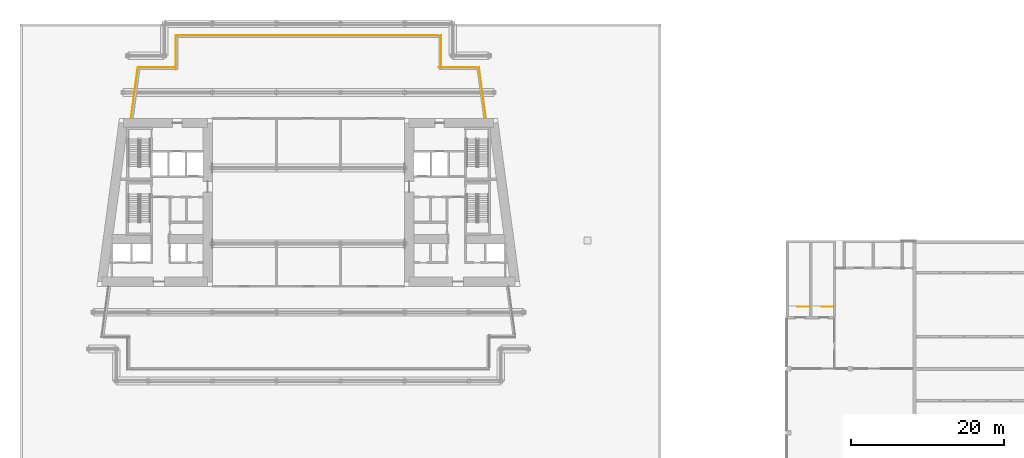
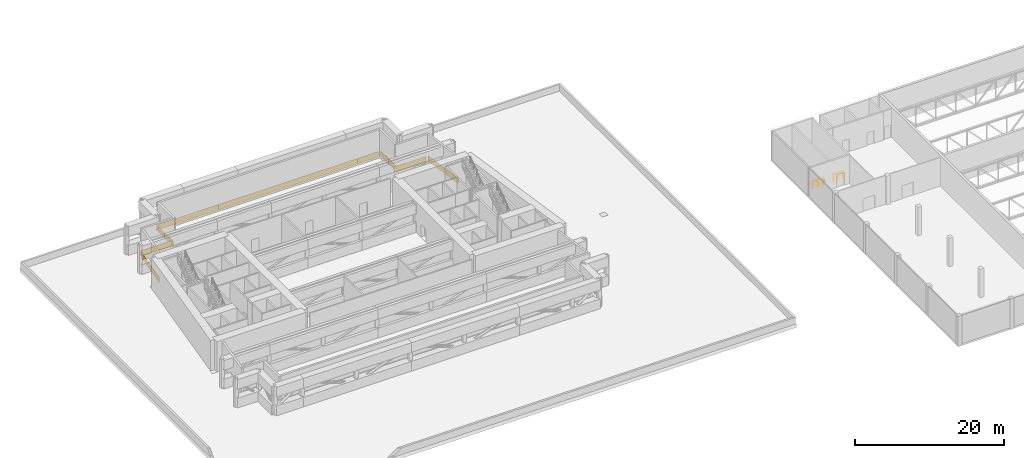
# One storey, part 25 of 26: 11 coverings, 2 railings.
"""IFC4 building model written with IfcOpenShell, lengths in metres."""

from ifc_helpers import new_model, si_unit, direction, frame, origin, origin_2d, place, context, subcontext, project, spatial, rectangle, circle, extrude, material, layer, layer_set, type_object, element, save


model = new_model("IFC4")

# Units and contexts
model_context = context("Model", 3, precision=1e-05, world=origin(), true_north=direction((0.0, 1.0)))
body_context = subcontext(model_context, "Body", "Model", "MODEL_VIEW")
ifc_project = project(units=[si_unit("LENGTHUNIT", "METRE"), si_unit("AREAUNIT", "SQUARE_METRE"), si_unit("VOLUMEUNIT", "CUBIC_METRE"), si_unit("PLANEANGLEUNIT", "RADIAN"), si_unit("MASSUNIT", "GRAM", prefix="KILO")], contexts=[model_context])

# Site, building, storey
site_placement = place(None, origin())
site = spatial("IfcSite", under=ifc_project, at=site_placement, CompositionType="ELEMENT")
building_placement = place(site_placement, origin())
building = spatial("IfcBuilding", under=site, at=building_placement, Name="Candeia Pilgrim Tower and Theatre", CompositionType="ELEMENT")
storey_placement = place(building_placement, frame((0.0, 0.0, 34.0)))
storey = spatial("IfcBuildingStorey", under=building, at=storey_placement, Name="L05", CompositionType="ELEMENT", Elevation=34.0)

# Coverings
ifc_material_1 = material(Name="Glazed ceramic tile deep red")
ifc_layer_1 = layer(ifc_material_1, 0.02001953125)
ifc_layer_set_1 = layer_set([ifc_layer_1], Name="Glazed ceramic tile deep red")
covering_type_1 = type_object("IfcCoveringType", Name="Glazed ceramic tile deep red", PredefinedType="CLADDING", material=ifc_layer_set_1)
covering_1_placement = place(storey_placement, frame((132.976318359375, 139.110107421875, 0.0), z_axis=(0.0, 0.0, 1.0), x_axis=(-1.0, 0.0, 0.0)))
element("IfcCovering", 1, at=covering_1_placement, inside=storey, type_object=covering_type_1, Name="Tile cladding deep red L05", PredefinedType="CLADDING", context=body_context, shape_type="SweptSolid", body=[
    extrude(rectangle(XDim=4.95263671875, YDim=0.02001953125, at=origin_2d()), origin(), (0.0, 0.0, 1.0), 0.89990234375),
])
covering_2_placement = place(storey_placement, frame((130.81005859375, 142.25, 0.0), z_axis=(0.0, 0.0, 1.0), x_axis=(0.0, 1.0, 0.0)))
element("IfcCovering", 2, at=covering_2_placement, inside=storey, type_object=covering_type_1, Name="Tile cladding deep red L05", PredefinedType="CLADDING", context=body_context, shape_type="SweptSolid", body=[
    extrude(rectangle(XDim=2.10009765625, YDim=0.02001953125, at=origin_2d()), origin(), (0.0, 0.0, 1.0), 0.89990234375),
])
covering_3_placement = place(storey_placement, frame((128.840087890625, 143.31005859375, 0.0), z_axis=(0.0, 0.0, 1.0), x_axis=(-1.0, 0.0, 0.0)))
element("IfcCovering", 3, at=covering_3_placement, inside=storey, type_object=covering_type_1, Name="Tile cladding deep red L05", PredefinedType="CLADDING", context=body_context, shape_type="SweptSolid", body=[
    extrude(rectangle(XDim=3.280029296875, YDim=0.02001953125, at=origin_2d()), origin(), (0.0, 0.0, 1.0), 0.89990234375),
])
covering_4_placement = place(storey_placement, frame((100.800048828125, 143.31005859375, 0.0), z_axis=(0.0, 0.0, 1.0), x_axis=(-1.0, 0.0, 0.0)))
element("IfcCovering", 4, at=covering_4_placement, inside=storey, type_object=covering_type_1, Name="Tile cladding deep red L05", PredefinedType="CLADDING", context=body_context, shape_type="SweptSolid", body=[
    extrude(rectangle(XDim=9.60009765625, YDim=0.02001953125, at=origin_2d()), origin(), (0.0, 0.0, 1.0), 0.89990234375),
])
covering_5_placement = place(storey_placement, frame((95.989990234375, 142.090087890625, 0.0), z_axis=(0.0, 0.0, 1.0), x_axis=(0.0, -1.0, 0.0)))
element("IfcCovering", 5, at=covering_5_placement, inside=storey, type_object=covering_type_1, Name="Tile cladding deep red L05", PredefinedType="CLADDING", context=body_context, shape_type="SweptSolid", body=[
    extrude(rectangle(XDim=1.780029296875, YDim=0.02001953125, at=origin_2d()), origin(), (0.0, 0.0, 1.0), 0.89990234375),
])
covering_6_placement = place(storey_placement, frame((93.51318359375, 139.110107421875, 0.0), z_axis=(0.0, 0.0, 1.0), x_axis=(-1.0, 0.0, 0.0)))
element("IfcCovering", 6, at=covering_6_placement, inside=storey, type_object=covering_type_1, Name="Tile cladding deep red L05", PredefinedType="CLADDING", context=body_context, shape_type="SweptSolid", body=[
    extrude(rectangle(XDim=4.933837890625, YDim=0.02001953125, at=origin_2d()), origin(), (0.0, 0.0, 1.0), 0.89990234375),
])
ifc_material_2 = material(Name="Glazed ceramic tile red")
ifc_layer_2 = layer(ifc_material_2, 0.02001953125)
ifc_layer_set_2 = layer_set([ifc_layer_2], Name="Glazed ceramic tile red")
covering_type_2 = type_object("IfcCoveringType", Name="Glazed ceramic tile red", PredefinedType="CLADDING", material=ifc_layer_set_2)
covering_7_placement = place(storey_placement, frame((136.21337890625, 135.76123046875, 0.0), z_axis=(0.0, 0.0, 1.0), x_axis=(-0.133412012145, 0.991060661622, 0.0)))
element("IfcCovering", 7, at=covering_7_placement, inside=storey, type_object=covering_type_2, Name="Tile cladding red L05", PredefinedType="CLADDING", context=body_context, shape_type="SweptSolid", body=[
    extrude(rectangle(XDim=6.740234375, YDim=0.02001953125, at=origin_2d()), origin(), (0.0, 0.0, 1.0), 0.89990234375),
])
covering_8_placement = place(storey_placement, frame((130.81005859375, 140.159912109375, 0.0), z_axis=(0.0, 0.0, 1.0), x_axis=(0.0, 1.0, 0.0)))
element("IfcCovering", 8, at=covering_8_placement, inside=storey, type_object=covering_type_2, Name="Tile cladding red L05", PredefinedType="CLADDING", context=body_context, shape_type="SweptSolid", body=[
    extrude(rectangle(XDim=2.080078125, YDim=0.02001953125, at=origin_2d()), origin(), (0.0, 0.0, 1.0), 0.89990234375),
])
covering_9_placement = place(storey_placement, frame((116.39990234375, 143.31005859375, 0.0), z_axis=(0.0, 0.0, 1.0), x_axis=(-1.0, 0.0, 0.0)))
element("IfcCovering", 9, at=covering_9_placement, inside=storey, type_object=covering_type_2, Name="Tile cladding red L05", PredefinedType="CLADDING", context=body_context, shape_type="SweptSolid", body=[
    extrude(rectangle(XDim=21.60009765625, YDim=0.02001953125, at=origin_2d()), origin(), (0.0, 0.0, 1.0), 0.89990234375),
])
covering_10_placement = place(storey_placement, frame((95.989990234375, 140.0, 0.0), z_axis=(0.0, 0.0, 1.0), x_axis=(0.0, -1.0, 0.0)))
element("IfcCovering", 10, at=covering_10_placement, inside=storey, type_object=covering_type_2, Name="Tile cladding red L05", PredefinedType="CLADDING", context=body_context, shape_type="SweptSolid", body=[
    extrude(rectangle(XDim=2.39990234375, YDim=0.02001953125, at=origin_2d()), origin(), (0.0, 0.0, 1.0), 0.89990234375),
])
covering_11_placement = place(storey_placement, frame((90.566650390625, 135.612060546875, 0.0), z_axis=(0.0, 0.0, 1.0), x_axis=(-0.133412012145, -0.991060661622, 0.0)))
element("IfcCovering", 11, at=covering_11_placement, inside=storey, type_object=covering_type_2, Name="Tile cladding red L05", PredefinedType="CLADDING", context=body_context, shape_type="SweptSolid", body=[
    extrude(rectangle(XDim=6.43896484375, YDim=0.02001953125, at=origin_2d()), origin(), (0.0, 0.0, 1.0), 0.89990234375),
])

# Railings
ifc_material_3 = material(Name="Steel S355", Category="steel")
railing_type = type_object("IfcRailingType", Name="Guard 1100 steel balustrade", PredefinedType="GUARDRAIL", material=ifc_material_3)
railing_1_placement = place(storey_placement, frame((179.10009765625, 107.72509765625, 0.0)))
element("IfcRailing", 12, at=railing_1_placement, inside=storey, type_object=railing_type, Name="L05 TS1 top well guard 1", PredefinedType="GUARDRAIL", context=body_context, shape_type="SweptSolid", body=[
    extrude(circle(Radius=0.02392578125, at=origin_2d()), frame((0.0, 0.0, 1.076171875), z_axis=(-1.0, 0.0, 0.0), x_axis=(0.0, -1.0, 0.0)), (0.0, 0.0, 1.0), 1.625),
    extrude(circle(Radius=0.02099609375, at=origin_2d()), origin(), (0.0, 0.0, 1.0), 1.052001953125),
    extrude(circle(Radius=0.02099609375, at=origin_2d()), frame((-0.8125, 0.0, 0.0)), (0.0, 0.0, 1.0), 1.052001953125),
    extrude(circle(Radius=0.02099609375, at=origin_2d()), frame((-1.625, 0.0, 0.0)), (0.0, 0.0, 1.0), 1.052001953125),
])
railing_2_placement = place(storey_placement, frame((182.199951171875, 107.72509765625, 0.0)))
element("IfcRailing", 13, at=railing_2_placement, inside=storey, type_object=railing_type, Name="L05 TS2 top well guard 1", PredefinedType="GUARDRAIL", context=body_context, shape_type="SweptSolid", body=[
    extrude(circle(Radius=0.02392578125, at=origin_2d()), frame((0.0, 0.0, 1.076171875), z_axis=(-1.0, 0.0, 0.0), x_axis=(0.0, -1.0, 0.0)), (0.0, 0.0, 1.0), 1.5),
    extrude(circle(Radius=0.02099609375, at=origin_2d()), origin(), (0.0, 0.0, 1.0), 1.052001953125),
    extrude(circle(Radius=0.02099609375, at=origin_2d()), frame((-0.75, 0.0, 0.0)), (0.0, 0.0, 1.0), 1.052001953125),
    extrude(circle(Radius=0.02099609375, at=origin_2d()), frame((-1.5, 0.0, 0.0)), (0.0, 0.0, 1.0), 1.052001953125),
])

save(model, "model.ifc")
